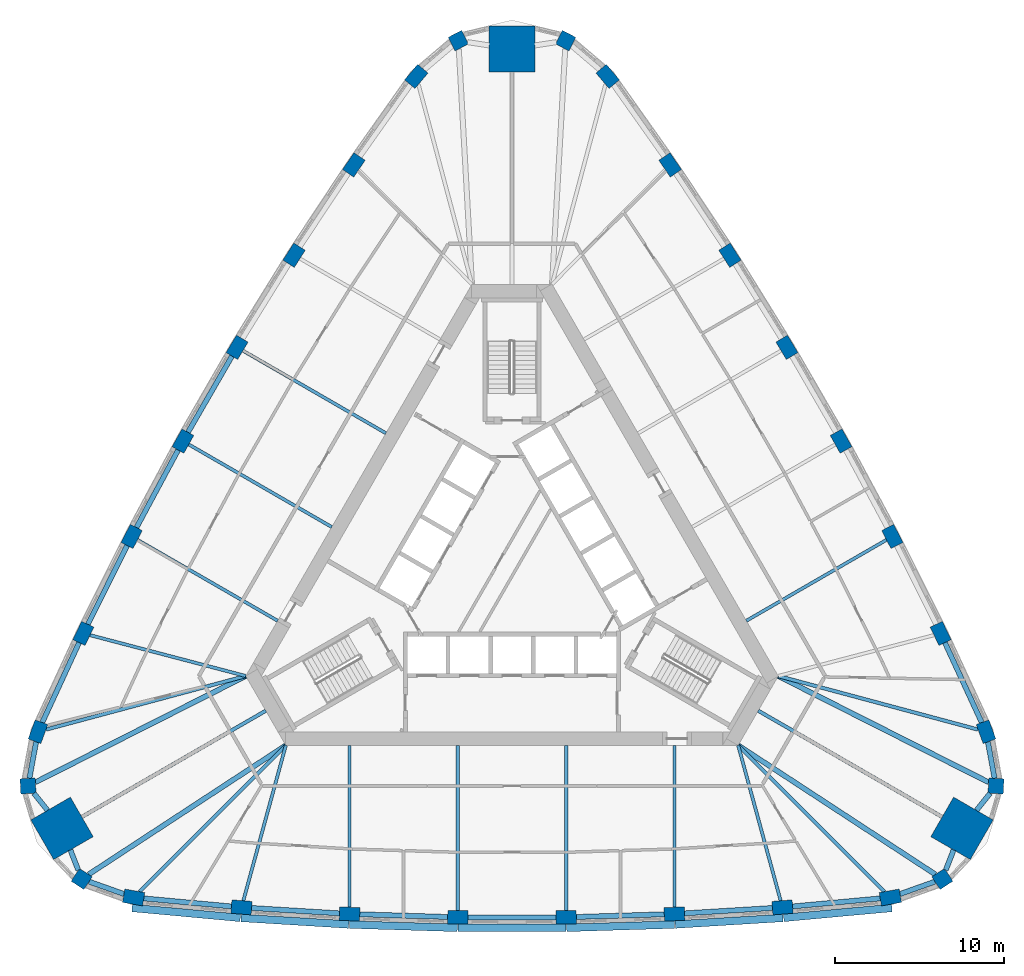
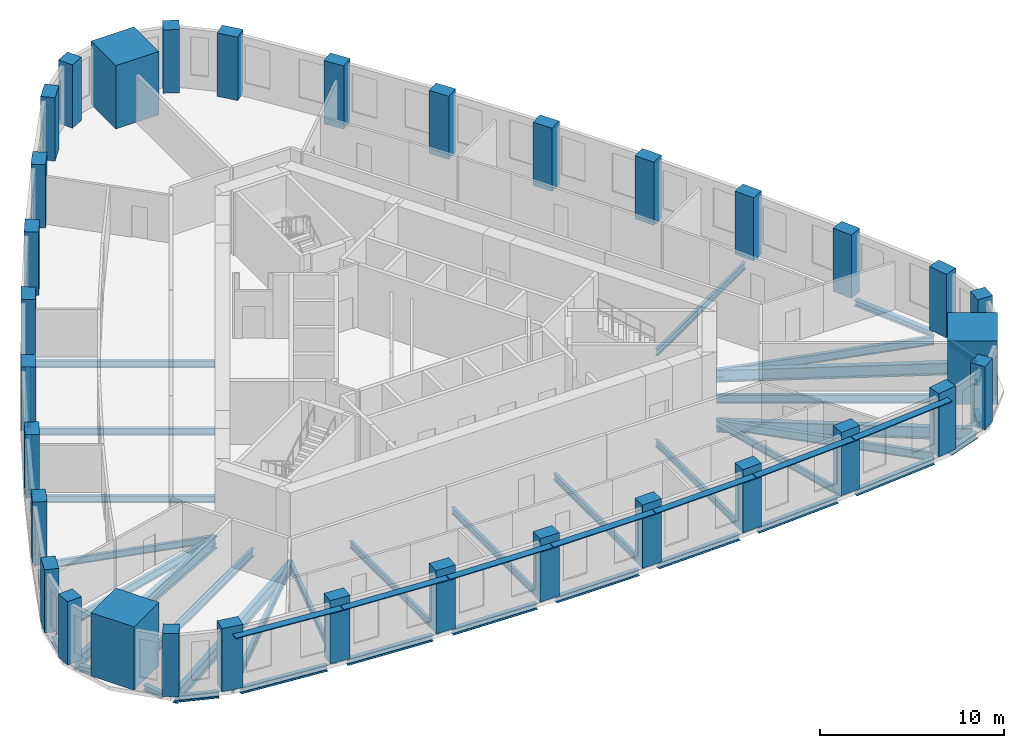
# One storey, part 1 of 10: 41 beams, 33 columns, 7 members.
"""IFC4 building model written with IfcOpenShell, lengths in metres."""

import ifcopenshell
import ifcopenshell.guid

model = None  # the IFC model being written
_history = None  # IfcOwnerHistory: only IFC2X3 demands one
_inside = {}  # id of a spatial element -> (the spatial element, [elements in it])
_under = {}  # id of a project, library or spatial element -> (it, [spatial elements below it])
_declared = {}  # id of a project -> (the project, [libraries it declares])
_typed = {}  # id of a type object -> (the type object, [elements of that type])
_made_of = {}  # id of a material, layer set ... -> (it, [elements and type objects made of it])


def new_model(schema):
    """Start an empty IFC model of exactly this schema.

    Asked for "IFC4X3", IfcOpenShell would pick the latest addendum, in which some entities
    have other attributes; the version numbers below select the first issue.
    IFC2X3 requires an IfcOwnerHistory on every rooted entity: one is made here for all.
    """
    global model, _history
    if schema == "IFC4X3":
        model = ifcopenshell.file(schema_version=(4, 3, 0, 0))
    else:
        model = ifcopenshell.file(schema=schema)
    _inside.clear()
    _under.clear()
    _declared.clear()
    _typed.clear()
    _made_of.clear()
    _history = None
    if model.schema == "IFC2X3":
        org = make("IfcOrganization", Name="unknown")
        user = make(
            "IfcPersonAndOrganization",
            ThePerson=make("IfcPerson", FamilyName="unknown"),
            TheOrganization=org,
        )
        app = make(
            "IfcApplication",
            ApplicationDeveloper=org,
            Version="unknown",
            ApplicationFullName="unknown",
            ApplicationIdentifier="unknown",
        )
        _history = make(
            "IfcOwnerHistory",
            OwningUser=user,
            OwningApplication=app,
            ChangeAction="ADDED",
            CreationDate=0,
        )
    return model


def make(cls, **values):
    """One entity of the class cls with the attributes given. An attribute that is None is left unset."""
    return model.create_entity(
        cls, **{name: value for name, value in values.items() if value is not None}
    )


def rooted(cls, **values):
    """An entity with a GlobalId (a new one), such as an element, a storey or a relation."""
    return make(cls, GlobalId=ifcopenshell.guid.new(), OwnerHistory=_history, **values)


def si_unit(unit_type, name, prefix=None):
    """IfcSIUnit, for example si_unit("LENGTHUNIT", "METRE", prefix="MILLI")."""
    return make("IfcSIUnit", UnitType=unit_type, Prefix=prefix, Name=name)


def assignment(units):
    """IfcUnitAssignment: the units of a project."""
    return None if units is None else make("IfcUnitAssignment", Units=units)


def point(xyz):
    """IfcCartesianPoint."""
    return None if xyz is None else make("IfcCartesianPoint", Coordinates=xyz)


def direction(xyz):
    """IfcDirection."""
    return None if xyz is None else make("IfcDirection", DirectionRatios=xyz)


def frame(location, z_axis=None, x_axis=None):
    """IfcAxis2Placement3D, a coordinate frame: its origin and axes. An axis left out is left unset."""
    return make(
        "IfcAxis2Placement3D",
        Location=point(location),
        Axis=direction(z_axis),
        RefDirection=direction(x_axis),
    )


def frame_2d(location, x_axis=None):
    """IfcAxis2Placement2D, a coordinate frame in the plane: its origin and x axis."""
    return make(
        "IfcAxis2Placement2D", Location=point(location), RefDirection=direction(x_axis)
    )


def origin():
    """The frame at (0, 0, 0) with its axes left unset."""
    return frame((0.0, 0.0, 0.0))


def origin_2d():
    """The frame at (0, 0) in the plane with its x axis left unset."""
    return frame_2d((0.0, 0.0))


def place(relative_to, where):
    """IfcLocalPlacement: puts the frame where relative to a parent placement (None: the world)."""
    return make(
        "IfcLocalPlacement", PlacementRelTo=relative_to, RelativePlacement=where
    )


def context(
    kind, dimensions, precision=None, world=None, true_north=None, identifier=None
):
    """IfcGeometricRepresentationContext, for example the 3D "Model" context."""
    return make(
        "IfcGeometricRepresentationContext",
        ContextIdentifier=identifier,
        ContextType=kind,
        CoordinateSpaceDimension=dimensions,
        Precision=precision,
        WorldCoordinateSystem=world,
        TrueNorth=true_north,
    )


def subcontext(parent, identifier, kind, view, scale=None):
    """IfcGeometricRepresentationSubContext, for example "Body" below "Model"."""
    return make(
        "IfcGeometricRepresentationSubContext",
        ContextIdentifier=identifier,
        ContextType=kind,
        ParentContext=parent,
        TargetScale=scale,
        TargetView=view,
    )


def project(units=None, contexts=None):
    """IfcProject with its units and contexts."""
    return rooted(
        "IfcProject",
        Name="project",
        RepresentationContexts=contexts,
        UnitsInContext=assignment(units),
    )


def spatial(cls, under=None, at=None, **own):
    """A site, building, storey or space (cls), placed at a placement, below another one or the project."""
    s = rooted(cls, ObjectPlacement=at, **own)
    if under is not None:
        _under.setdefault(under.id(), (under, []))[1].append(s)
    return s


def profile(cls, at=None, kind="AREA", **sizes):
    """A parametric profile (cls). Its sizes go by their IFC names, for example OverallWidth=200.0."""
    return make(cls, ProfileType=kind, Position=at, **sizes)


def rectangle(**sizes):
    """IfcRectangleProfileDef."""
    return profile("IfcRectangleProfileDef", **sizes)


def i_section(**sizes):
    """IfcIShapeProfileDef."""
    return profile("IfcIShapeProfileDef", **sizes)


def extrude(swept, where, along, depth):
    """IfcExtrudedAreaSolid: the profile swept, set in the frame where, extruded along a direction by depth."""
    return make(
        "IfcExtrudedAreaSolid",
        SweptArea=swept,
        Position=where,
        ExtrudedDirection=direction(along),
        Depth=depth,
    )


def shape(context_of_items, identifier, shape_type, items):
    """IfcShapeRepresentation: the items that make up one representation, for example the "Body"."""
    return make(
        "IfcShapeRepresentation",
        ContextOfItems=context_of_items,
        RepresentationIdentifier=identifier,
        RepresentationType=shape_type,
        Items=items,
    )


def material(Name=None, Category=None):
    """IfcMaterial."""
    return make("IfcMaterial", Name=Name, Category=Category)


def material_profile(
    of_material, cross_section, Name=None, Category=None, Priority=None
):
    """IfcMaterialProfile: a cross section and its material."""
    return make(
        "IfcMaterialProfile",
        Name=Name,
        Material=of_material,
        Profile=cross_section,
        Priority=Priority,
        Category=Category,
    )


def profile_set(profiles, Name=None, composite=None):
    """IfcMaterialProfileSet."""
    return make(
        "IfcMaterialProfileSet",
        Name=Name,
        MaterialProfiles=profiles,
        CompositeProfile=composite,
    )


def made_of(thing, what):
    """Note that an element or type object is made of a material, layer set ...; save() writes the relation."""
    if what is not None:
        _made_of.setdefault(what.id(), (what, []))[1].append(thing)
    return thing


def type_object(cls, material=None, **own):
    """A type object (cls), such as IfcWallType, which elements share."""
    return made_of(rooted(cls, **own), material)


def element(
    cls,
    number,
    at=None,
    inside=None,
    cuts=None,
    type_object=None,
    material=None,
    context=None,
    identifier="Body",
    shape_type=None,
    held_by="IfcProductDefinitionShape",
    body=None,
    shapes=None,
    **own,
):
    """One element of the class cls, such as IfcWall. Its Tag is "e" and its number.

    at: its placement. inside: the storey or other place that contains it. cuts: it is an
    opening in that element (IfcRelVoidsElement). A single representation is given by context,
    identifier, shape_type and body (its items); several are given by shapes. held_by: the class
    of the entity that holds the representations. save() writes the other relations.
    """
    e = rooted(cls, Tag="e%d" % number, ObjectPlacement=at, **own)
    if body is not None:
        shapes = [shape(context, identifier, shape_type, body)]
    if shapes is not None:
        e.Representation = make(held_by, Representations=shapes)
    if inside is not None:
        _inside.setdefault(inside.id(), (inside, []))[1].append(e)
    if cuts is not None:
        rooted(
            "IfcRelVoidsElement", RelatingBuildingElement=cuts, RelatedOpeningElement=e
        )
    if type_object is not None:
        _typed.setdefault(type_object.id(), (type_object, []))[1].append(e)
    return made_of(e, material)


def aggregate(whole, parts):
    """IfcRelAggregates: a whole, such as a stair, and the parts it consists of."""
    return rooted("IfcRelAggregates", RelatingObject=whole, RelatedObjects=parts)


def save(model, path):
    """Write the relations noted so far, then the file.

    IfcRelAggregates (storeys below a building ...), IfcRelContainedInSpatialStructure (elements
    in a storey), IfcRelDefinesByType, IfcRelAssociatesMaterial and IfcRelDeclares: one each for
    every whole, place, type object, material and project.
    """
    for whole, parts in _under.values():
        aggregate(whole, parts)
    for where, things in _inside.values():
        rooted(
            "IfcRelContainedInSpatialStructure",
            RelatedElements=things,
            RelatingStructure=where,
        )
    for kind, things in _typed.values():
        rooted("IfcRelDefinesByType", RelatedObjects=things, RelatingType=kind)
    for what, things in _made_of.values():
        rooted("IfcRelAssociatesMaterial", RelatedObjects=things, RelatingMaterial=what)
    for by, libraries in _declared.values():
        rooted("IfcRelDeclares", RelatingContext=by, RelatedDefinitions=libraries)
    model.write(path)


model = new_model("IFC4")

# Units and contexts
model_context = context("Model", 3, precision=1e-05, world=origin(), true_north=direction((0.0, 1.0)))
body_context = subcontext(model_context, "Body", "Model", "MODEL_VIEW")
ifc_project = project(units=[si_unit("LENGTHUNIT", "METRE"), si_unit("AREAUNIT", "SQUARE_METRE"), si_unit("VOLUMEUNIT", "CUBIC_METRE"), si_unit("PLANEANGLEUNIT", "RADIAN"), si_unit("MASSUNIT", "GRAM", prefix="KILO")], contexts=[model_context])

# Site, building, storey
site_placement = place(None, origin())
site = spatial("IfcSite", under=ifc_project, at=site_placement, CompositionType="ELEMENT")
building_placement = place(site_placement, origin())
building = spatial("IfcBuilding", under=site, at=building_placement, Name="Mestral Congress Tower", CompositionType="ELEMENT")
storey_placement = place(building_placement, frame((0.0, 0.0, 150.0)))
storey = spatial("IfcBuildingStorey", under=building, at=storey_placement, Name="L35", CompositionType="ELEMENT", Elevation=150.0)

# Columns
ifc_material_1 = material(Name="Concrete C60/75", Category="concrete")
ifc_material_profile_1 = material_profile(ifc_material_1, rectangle(XDim=1.199951171875, YDim=0.800048828125, at=origin_2d()), Name="RC 1200x800")
ifc_profile_set_1 = profile_set([ifc_material_profile_1], Name="Concrete C60/75")
column_type_1 = type_object("IfcColumnType", Name="Column RC 1200x800 C60/75", PredefinedType="COLUMN", material=ifc_profile_set_1)
for number, where, z_axis, x_axis, name in (
    (1, (-22.357421875, -19.437255859375, 0.0), (0.0, 0.0, 1.0), (0.984571054206, -0.17498525429, 0.0), "COL-L35-C3-S00"),
    (2, (-15.984619140625, -20.0224609375, 0.0), (0.0, 0.0, 1.0), (0.997089725995, -0.076236987842, 0.0), "COL-L35-C3-S01"),
    (3, (-9.5966796875, -20.412841796875, 0.0), (0.0, 0.0, 1.0), (0.998951959915, -0.045770970953, 0.0), "COL-L35-C3-S02"),
    (4, (-3.199951171875, -20.608154296875, 0.0), (0.0, 0.0, 1.0), (0.999883524137, -0.015262311717, 0.0), "COL-L35-C3-S03"),
    (5, (3.199951171875, -20.608154296875, 0.0), (0.0, 0.0, 1.0), (0.999883524137, 0.015262311717, 0.0), "COL-L35-C3-S04"),
    (6, (9.5966796875, -20.412841796875, 0.0), (0.0, 0.0, 1.0), (0.998951959915, 0.045770970953, 0.0), "COL-L35-C3-S05"),
    (7, (15.984619140625, -20.0224609375, 0.0), (0.0, 0.0, 1.0), (0.997089725995, 0.076236987842, 0.0), "COL-L35-C3-S06"),
    (8, (22.357421875, -19.437255859375, 0.0), (0.0, 0.0, 1.0), (0.984571054206, 0.17498525429, 0.0), "COL-L35-C3-S07"),
    (9, (28.01171875, -9.6435546875, 0.0), (0.0, 0.0, 1.0), (-0.340743851601, 0.940156171918, 0.0), "COL-L35-C3-E00"),
    (10, (25.332275390625, -3.831787109375, 0.0), (0.0, 0.0, 1.0), (-0.432521694818, 0.901623526485, 0.0), "COL-L35-C3-E01"),
    (11, (22.476318359375, 1.8955078125, 0.0), (0.0, 0.0, 1.0), (-0.459837156356, 0.888003259923, 0.0), "COL-L35-C3-E02"),
    (12, (19.447265625, 7.532958984375, 0.0), (0.0, 0.0, 1.0), (-0.486724212401, 0.873555688587, 0.0), "COL-L35-C3-E03"),
    (13, (16.247314453125, 13.0751953125, 0.0), (0.0, 0.0, 1.0), (-0.513159311736, 0.85829337687, 0.0), "COL-L35-C3-E04"),
    (14, (12.8798828125, 18.517333984375, 0.0), (0.0, 0.0, 1.0), (-0.539114803559, 0.84223228897, 0.0), "COL-L35-C3-E05"),
    (15, (9.34765625, 23.854248046875, 0.0), (0.0, 0.0, 1.0), (-0.564568031177, 0.825386538643, 0.0), "COL-L35-C3-E06"),
    (16, (5.654296875, 29.080810546875, 0.0), (0.0, 0.0, 1.0), (-0.643827202606, 0.765170917629, 0.0), "COL-L35-C3-E07"),
    (17, (-5.654296875, 29.080810546875, 0.0), (0.0, 0.0, 1.0), (-0.643827202606, -0.765170917629, 0.0), "COL-L35-C3-W00"),
    (18, (-9.34765625, 23.854248046875, 0.0), (0.0, 0.0, 1.0), (-0.564568031177, -0.825386538643, 0.0), "COL-L35-C3-W01"),
    (19, (-12.8798828125, 18.517333984375, 0.0), (0.0, 0.0, 1.0), (-0.539114803559, -0.84223228897, 0.0), "COL-L35-C3-W02"),
    (20, (-16.247314453125, 13.0751953125, 0.0), (0.0, 0.0, 1.0), (-0.513159311736, -0.85829337687, 0.0), "COL-L35-C3-W03"),
    (21, (-19.447265625, 7.532958984375, 0.0), (0.0, 0.0, 1.0), (-0.486724212401, -0.873555688587, 0.0), "COL-L35-C3-W04"),
    (22, (-22.476318359375, 1.8955078125, 0.0), (0.0, 0.0, 1.0), (-0.459837156356, -0.888003259923, 0.0), "COL-L35-C3-W05"),
    (23, (-25.332275390625, -3.831787109375, 0.0), (0.0, 0.0, 1.0), (-0.432521694818, -0.901623526485, 0.0), "COL-L35-C3-W06"),
    (24, (-28.01171875, -9.6435546875, 0.0), (0.0, 0.0, 1.0), (-0.340743851601, -0.940156171918, 0.0), "COL-L35-C3-W07"),
):
    element("IfcColumn", number, at=place(storey_placement, frame(where, z_axis=z_axis, x_axis=x_axis)), inside=storey, type_object=column_type_1, Name=name, PredefinedType="COLUMN", context=body_context, shape_type="SweptSolid", body=[
        extrude(rectangle(XDim=1.199951171875, YDim=0.800048828125, at=origin_2d()), origin(), (0.0, 0.0, 1.0), 4.199951171875),
    ])
ifc_material_profile_2 = material_profile(ifc_material_1, rectangle(XDim=0.89990234375, YDim=0.89990234375, at=origin_2d()), Name="RC 900x900")
ifc_profile_set_2 = profile_set([ifc_material_profile_2], Name="Concrete C60/75")
column_type_2 = type_object("IfcColumnType", Name="Column RC 900x900 C60/75", PredefinedType="COLUMN", material=ifc_profile_set_2)
for number, where, z_axis, x_axis, name in (
    (25, (25.4296875, -18.34375, 0.0), (0.0, 0.0, 1.0), (0.838094050847, 0.545525766518, 0.0), "COL-L35-C3-SE1"),
    (26, (28.60107421875, -12.850830078125, 0.0), (0.0, 0.0, 1.0), (0.0533921468, 0.998573622053, 0.0), "COL-L35-C3-SE3"),
    (27, (3.17138671875, 31.194580078125, 0.0), (0.0, 0.0, 1.0), (-0.891486197647, 0.453047855535, 0.0), "COL-L35-C3-N1"),
    (28, (-3.17138671875, 31.194580078125, 0.0), (0.0, 0.0, 1.0), (-0.891486197647, -0.453047855535, 0.0), "COL-L35-C3-N3"),
    (29, (-28.60107421875, -12.850830078125, 0.0), (0.0, 0.0, 1.0), (0.0533921468, -0.998573622053, 0.0), "COL-L35-C3-SW1"),
    (30, (-25.4296875, -18.34375, 0.0), (0.0, 0.0, 1.0), (0.838094050847, -0.545525766518, 0.0), "COL-L35-C3-SW3"),
):
    element("IfcColumn", number, at=place(storey_placement, frame(where, z_axis=z_axis, x_axis=x_axis)), inside=storey, type_object=column_type_2, Name=name, PredefinedType="COLUMN", context=body_context, shape_type="SweptSolid", body=[
        extrude(rectangle(XDim=0.89990234375, YDim=0.89990234375, at=origin_2d()), origin(), (0.0, 0.0, 1.0), 4.199951171875),
    ])
ifc_material_2 = material(Name="Concrete C70/85", Category="concrete")
ifc_material_profile_3 = material_profile(ifc_material_2, rectangle(XDim=2.699951171875, YDim=2.699951171875, at=origin_2d()), Name="RC 2700x2700")
ifc_profile_set_3 = profile_set([ifc_material_profile_3], Name="Concrete C70/85")
column_type_3 = type_object("IfcColumnType", Name="Mega column RC 2700x2700 C70/85", PredefinedType="COLUMN", material=ifc_profile_set_3)
for number, where, z_axis, x_axis, name in (
    (31, (26.590576171875, -15.35205078125, 0.0), (0.0, 0.0, 1.0), (0.866025403784, -0.5, 0.0), "COL-L35-PY3-SE"),
    (32, (0.0, 30.7041015625, 0.0), (0.0, 0.0, 1.0), (0.0, 1.0, 0.0), "COL-L35-PY3-N"),
    (33, (-26.590576171875, -15.35205078125, 0.0), (0.0, 0.0, 1.0), (-0.866025403784, -0.5, 0.0), "COL-L35-PY3-SW"),
):
    element("IfcColumn", number, at=place(storey_placement, frame(where, z_axis=z_axis, x_axis=x_axis)), inside=storey, type_object=column_type_3, Name=name, PredefinedType="COLUMN", context=body_context, shape_type="SweptSolid", body=[
        extrude(rectangle(XDim=2.699951171875, YDim=2.699951171875, at=origin_2d()), origin(), (0.0, 0.0, 1.0), 4.199951171875),
    ])

# Members
ifc_material_3 = material(Name="Glazed ceramic", Category="masonry")
ifc_material_profile_4 = material_profile(ifc_material_3, rectangle(XDim=0.449951171875, YDim=0.06005859375, at=origin_2d()), Name="Ceramic blade 450 x 60")
ifc_profile_set_4 = profile_set([ifc_material_profile_4], Name="Glazed ceramic")
member_type = type_object("IfcMemberType", Name="Facade sunshade blade 450 x 60", PredefinedType="USERDEFINED", material=ifc_profile_set_4)
member_1_placement = place(storey_placement, frame((-22.451171875, -20.05615234375, 3.679931640625), z_axis=(0.995809919347, -0.091447277326, 0.0), x_axis=(0.091447277326, 0.995809919347, 0.0)))
element("IfcMember", 34, at=member_1_placement, inside=storey, type_object=member_type, Name="Sunshade F0-00", ObjectType="SUNSHADE", PredefinedType="USERDEFINED", context=body_context, shape_type="SweptSolid", body=[
    extrude(rectangle(XDim=0.449951171875, YDim=0.06005859375, at=origin_2d()), origin(), (0.0, 0.0, 1.0), 6.42333984375),
])
member_2_placement = place(storey_placement, frame((-16.009521484375, -20.647216796875, 3.679931640625), z_axis=(0.998138940399, -0.06098078107, 0.0), x_axis=(0.06098078107, 0.998138940399, 0.0)))
element("IfcMember", 35, at=member_2_placement, inside=storey, type_object=member_type, Name="Sunshade F0-01", ObjectType="SUNSHADE", PredefinedType="USERDEFINED", context=body_context, shape_type="SweptSolid", body=[
    extrude(rectangle(XDim=0.449951171875, YDim=0.06005859375, at=origin_2d()), origin(), (0.0, 0.0, 1.0), 6.373779296875),
])
for number, where, z_axis, x_axis, name in (
    (36, (-9.6025390625, -21.0380859375, 3.679931640625), (0.999535044007, -0.03049091343, 0.0), (0.03049091343, 0.999535044007, 0.0), "Sunshade F0-02"),
    (37, (-3.186767578125, -21.233154296875, 3.679931640625), (1.0, 0.0, 0.0), (0.0, 1.0, 0.0), "Sunshade F0-03"),
    (38, (3.23193359375, -21.232421875, 3.679931640625), (0.999535044007, 0.03049091343, 0.0), (-0.03049091343, 0.999535044007, 0.0), "Sunshade F0-04"),
):
    element("IfcMember", number, at=place(storey_placement, frame(where, z_axis=z_axis, x_axis=x_axis)), inside=storey, type_object=member_type, Name=name, ObjectType="SUNSHADE", PredefinedType="USERDEFINED", context=body_context, shape_type="SweptSolid", body=[
        extrude(rectangle(XDim=0.449951171875, YDim=0.06005859375, at=origin_2d()), origin(), (0.0, 0.0, 1.0), 6.37353515625),
    ])
member_3_placement = place(storey_placement, frame((9.647705078125, -21.035888671875, 3.679931640625), z_axis=(0.998138940399, 0.06098078107, 0.0), x_axis=(-0.06098078107, 0.998138940399, 0.0)))
element("IfcMember", 39, at=member_3_placement, inside=storey, type_object=member_type, Name="Sunshade F0-05", ObjectType="SUNSHADE", PredefinedType="USERDEFINED", context=body_context, shape_type="SweptSolid", body=[
    extrude(rectangle(XDim=0.449951171875, YDim=0.06005859375, at=origin_2d()), origin(), (0.0, 0.0, 1.0), 6.373779296875),
])
member_4_placement = place(storey_placement, frame((16.0546875, -20.6435546875, 3.679931640625), z_axis=(0.995809919347, 0.091447277326, 0.0), x_axis=(-0.091447277326, 0.995809919347, 0.0)))
element("IfcMember", 40, at=member_4_placement, inside=storey, type_object=member_type, Name="Sunshade F0-06", ObjectType="SUNSHADE", PredefinedType="USERDEFINED", context=body_context, shape_type="SweptSolid", body=[
    extrude(rectangle(XDim=0.449951171875, YDim=0.06005859375, at=origin_2d()), origin(), (0.0, 0.0, 1.0), 6.42333984375),
])

# Beams
ifc_material_4 = material(Name="Steel S355", Category="steel")
ifc_material_profile_5 = material_profile(ifc_material_4, i_section(OverallWidth=0.300048828125, OverallDepth=0.800048828125, WebThickness=0.017578125, FlangeThickness=0.032958984375, FilletRadius=0.030029296875, at=origin_2d()), Name="HEB 800")
ifc_profile_set_5 = profile_set([ifc_material_profile_5], Name="Steel S355")
beam_type_1 = type_object("IfcBeamType", Name="Floor beam HEB 800 S355", PredefinedType="BEAM", material=ifc_profile_set_5)
beam_1_placement = place(storey_placement, frame((25.018310546875, -18.07470703125, -0.64990234375), z_axis=(-0.836780237492, 0.547538888247, 0.0), x_axis=(-0.547538888247, -0.836780237492, 0.0)))
element("IfcBeam", 41, at=beam_1_placement, inside=storey, type_object=beam_type_1, Name="BM-L35-RB3-SE1", PredefinedType="BEAM", context=body_context, shape_type="SweptSolid", body=[
    extrude(i_section(OverallWidth=0.300048828125, OverallDepth=0.800048828125, WebThickness=0.017578125, FlangeThickness=0.032958984375, FilletRadius=0.030029296875, at=origin_2d()), origin(), (0.0, 0.0, 1.0), 13.925537109375),
])
for number, where, z_axis, x_axis, name in (
    (42, (28.162109375, -12.629150390625, -0.64990234375), (-0.892568118133, 0.450912579656, 0.0), (-0.450912579656, -0.892568118133, 0.0), "BM-L35-RB3-SE3"),
    (43, (-28.162109375, -12.629150390625, -0.64990234375), (0.892568118133, 0.450912579656, 0.0), (-0.450912579656, 0.892568118133, 0.0), "BM-L35-RB3-SW1"),
):
    element("IfcBeam", number, at=place(storey_placement, frame(where, z_axis=z_axis, x_axis=x_axis)), inside=storey, type_object=beam_type_1, Name=name, PredefinedType="BEAM", context=body_context, shape_type="SweptSolid", body=[
        extrude(i_section(OverallWidth=0.300048828125, OverallDepth=0.800048828125, WebThickness=0.017578125, FlangeThickness=0.032958984375, FilletRadius=0.030029296875, at=origin_2d()), origin(), (0.0, 0.0, 1.0), 13.92529296875),
    ])
beam_2_placement = place(storey_placement, frame((-25.018310546875, -18.07470703125, -0.64990234375), z_axis=(0.836780237492, 0.547538888247, 0.0), x_axis=(-0.547538888247, 0.836780237492, 0.0)))
element("IfcBeam", 44, at=beam_2_placement, inside=storey, type_object=beam_type_1, Name="BM-L35-RB3-SW3", PredefinedType="BEAM", context=body_context, shape_type="SweptSolid", body=[
    extrude(i_section(OverallWidth=0.300048828125, OverallDepth=0.800048828125, WebThickness=0.017578125, FlangeThickness=0.032958984375, FilletRadius=0.030029296875, at=origin_2d()), origin(), (0.0, 0.0, 1.0), 13.925537109375),
])
ifc_material_profile_6 = material_profile(ifc_material_4, i_section(OverallWidth=0.18994140625, OverallDepth=0.449951171875, WebThickness=0.009521484375, FlangeThickness=0.0146484375, FilletRadius=0.02099609375, at=origin_2d()), Name="IPE 450")
ifc_profile_set_6 = profile_set([ifc_material_profile_6], Name="Steel S355")
beam_type_2 = type_object("IfcBeamType", Name="Floor beam IPE 450 S355", PredefinedType="BEAM", material=ifc_profile_set_6)
beam_3_placement = place(storey_placement, frame((-15.876953125, -19.62939453125, -0.47509765625), z_axis=(0.263874900873, 0.964556912105, 0.0), x_axis=(-0.964556912105, 0.263874900873, 0.0)))
element("IfcBeam", 45, at=beam_3_placement, inside=storey, type_object=beam_type_2, Name="BM-L35-RB3-S01", PredefinedType="BEAM", context=body_context, shape_type="SweptSolid", body=[
    extrude(i_section(OverallWidth=0.18994140625, OverallDepth=0.449951171875, WebThickness=0.009521484375, FlangeThickness=0.0146484375, FilletRadius=0.02099609375, at=origin_2d()), origin(), (0.0, 0.0, 1.0), 9.516845703125),
])
beam_4_placement = place(storey_placement, frame((-9.5966796875, -20.012451171875, -0.47509765625), z_axis=(0.0, 1.0, 0.0), x_axis=(-1.0, 0.0, 0.0)))
element("IfcBeam", 46, at=beam_4_placement, inside=storey, type_object=beam_type_2, Name="BM-L35-RB3-S02", PredefinedType="BEAM", context=body_context, shape_type="SweptSolid", body=[
    extrude(i_section(OverallWidth=0.18994140625, OverallDepth=0.449951171875, WebThickness=0.009521484375, FlangeThickness=0.0146484375, FilletRadius=0.02099609375, at=origin_2d()), origin(), (0.0, 0.0, 1.0), 9.5625),
])
for number, where, z_axis, x_axis, name in (
    (47, (-3.199951171875, -20.208251953125, -0.47509765625), (0.0, 1.0, 0.0), (-1.0, 0.0, 0.0), "BM-L35-RB3-S03"),
    (48, (3.199951171875, -20.208251953125, -0.47509765625), (0.0, 1.0, 0.0), (-1.0, 0.0, 0.0), "BM-L35-RB3-S04"),
):
    element("IfcBeam", number, at=place(storey_placement, frame(where, z_axis=z_axis, x_axis=x_axis)), inside=storey, type_object=beam_type_2, Name=name, PredefinedType="BEAM", context=body_context, shape_type="SweptSolid", body=[
        extrude(i_section(OverallWidth=0.18994140625, OverallDepth=0.449951171875, WebThickness=0.009521484375, FlangeThickness=0.0146484375, FilletRadius=0.02099609375, at=origin_2d()), origin(), (0.0, 0.0, 1.0), 9.75830078125),
    ])
beam_5_placement = place(storey_placement, frame((9.5966796875, -20.012451171875, -0.47509765625), z_axis=(0.0, 1.0, 0.0), x_axis=(-1.0, 0.0, 0.0)))
element("IfcBeam", 49, at=beam_5_placement, inside=storey, type_object=beam_type_2, Name="BM-L35-RB3-S05", PredefinedType="BEAM", context=body_context, shape_type="SweptSolid", body=[
    extrude(i_section(OverallWidth=0.18994140625, OverallDepth=0.449951171875, WebThickness=0.009521484375, FlangeThickness=0.0146484375, FilletRadius=0.02099609375, at=origin_2d()), origin(), (0.0, 0.0, 1.0), 9.5625),
])
beam_6_placement = place(storey_placement, frame((15.876953125, -19.62939453125, -0.47509765625), z_axis=(-0.263874900873, 0.964556912105, 0.0), x_axis=(-0.964556912105, -0.263874900873, 0.0)))
element("IfcBeam", 50, at=beam_6_placement, inside=storey, type_object=beam_type_2, Name="BM-L35-RB3-S06", PredefinedType="BEAM", context=body_context, shape_type="SweptSolid", body=[
    extrude(i_section(OverallWidth=0.18994140625, OverallDepth=0.449951171875, WebThickness=0.009521484375, FlangeThickness=0.0146484375, FilletRadius=0.02099609375, at=origin_2d()), origin(), (0.0, 0.0, 1.0), 9.516845703125),
])
beam_7_placement = place(storey_placement, frame((22.129638671875, 1.6953125, -0.47509765625), z_axis=(-0.866022320763, -0.500005339912, 0.0), x_axis=(0.500005339912, -0.866022320763, 0.0)))
element("IfcBeam", 51, at=beam_7_placement, inside=storey, type_object=beam_type_2, Name="BM-L35-RB3-E02", PredefinedType="BEAM", context=body_context, shape_type="SweptSolid", body=[
    extrude(i_section(OverallWidth=0.18994140625, OverallDepth=0.449951171875, WebThickness=0.009521484375, FlangeThickness=0.0146484375, FilletRadius=0.02099609375, at=origin_2d()), origin(), (0.0, 0.0, 1.0), 9.5625),
])
beam_8_placement = place(storey_placement, frame((-15.90087890625, 12.875244140625, -0.47509765625), z_axis=(0.866025182435, -0.500000383388, 0.0), x_axis=(0.500000383388, 0.866025182435, 0.0)))
element("IfcBeam", 52, at=beam_8_placement, inside=storey, type_object=beam_type_2, Name="BM-L35-RB3-W03", PredefinedType="BEAM", context=body_context, shape_type="SweptSolid", body=[
    extrude(i_section(OverallWidth=0.18994140625, OverallDepth=0.449951171875, WebThickness=0.009521484375, FlangeThickness=0.0146484375, FilletRadius=0.02099609375, at=origin_2d()), origin(), (0.0, 0.0, 1.0), 9.75830078125),
])
beam_9_placement = place(storey_placement, frame((-19.100830078125, 7.332763671875, -0.47509765625), z_axis=(0.866036015824, -0.499981618958, 0.0), x_axis=(0.499981618958, 0.866036015824, 0.0)))
element("IfcBeam", 53, at=beam_9_placement, inside=storey, type_object=beam_type_2, Name="BM-L35-RB3-W04", PredefinedType="BEAM", context=body_context, shape_type="SweptSolid", body=[
    extrude(i_section(OverallWidth=0.18994140625, OverallDepth=0.449951171875, WebThickness=0.009521484375, FlangeThickness=0.0146484375, FilletRadius=0.02099609375, at=origin_2d()), origin(), (0.0, 0.0, 1.0), 9.758056640625),
])
beam_10_placement = place(storey_placement, frame((-22.129638671875, 1.6953125, -0.47509765625), z_axis=(0.866022320763, -0.500005339912, 0.0), x_axis=(0.500005339912, 0.866022320763, 0.0)))
element("IfcBeam", 54, at=beam_10_placement, inside=storey, type_object=beam_type_2, Name="BM-L35-RB3-W05", PredefinedType="BEAM", context=body_context, shape_type="SweptSolid", body=[
    extrude(i_section(OverallWidth=0.18994140625, OverallDepth=0.449951171875, WebThickness=0.009521484375, FlangeThickness=0.0146484375, FilletRadius=0.02099609375, at=origin_2d()), origin(), (0.0, 0.0, 1.0), 9.5625),
])
beam_11_placement = place(storey_placement, frame((-24.938232421875, -3.93505859375, -0.47509765625), z_axis=(0.967265999603, -0.253764627187, 0.0), x_axis=(0.253764627187, 0.967265999603, 0.0)))
element("IfcBeam", 55, at=beam_11_placement, inside=storey, type_object=beam_type_2, Name="BM-L35-RB3-W06", PredefinedType="BEAM", context=body_context, shape_type="SweptSolid", body=[
    extrude(i_section(OverallWidth=0.18994140625, OverallDepth=0.449951171875, WebThickness=0.009521484375, FlangeThickness=0.0146484375, FilletRadius=0.02099609375, at=origin_2d()), origin(), (0.0, 0.0, 1.0), 9.516845703125),
])
ifc_material_profile_7 = material_profile(ifc_material_4, i_section(OverallWidth=0.2099609375, OverallDepth=0.550048828125, WebThickness=0.010986328125, FlangeThickness=0.01708984375, FilletRadius=0.02392578125, at=origin_2d()), Name="IPE 550")
ifc_profile_set_7 = profile_set([ifc_material_profile_7], Name="Steel S355")
beam_type_3 = type_object("IfcBeamType", Name="Floor beam IPE 550 S355", PredefinedType="BEAM", material=ifc_profile_set_7)
for number, where, z_axis, x_axis, name in (
    (56, (-22.01220703125, -19.09228515625, -0.52490234375), (0.707276510369, 0.706937011254, 0.0), (-0.706937011254, 0.707276510369, 0.0), "BM-L35-RB3-S00"),
    (57, (22.01220703125, -19.09228515625, -0.52490234375), (-0.707276510369, 0.706937011254, 0.0), (-0.706937011254, -0.707276510369, 0.0), "BM-L35-RB3-S07"),
):
    element("IfcBeam", number, at=place(storey_placement, frame(where, z_axis=z_axis, x_axis=x_axis)), inside=storey, type_object=beam_type_3, Name=name, PredefinedType="BEAM", context=body_context, shape_type="SweptSolid", body=[
        extrude(i_section(OverallWidth=0.2099609375, OverallDepth=0.550048828125, WebThickness=0.010986328125, FlangeThickness=0.01708984375, FilletRadius=0.02392578125, at=origin_2d()), origin(), (0.0, 0.0, 1.0), 12.22509765625),
    ])
beam_12_placement = place(storey_placement, frame((25.42138671875, -14.677001953125, -0.52490234375), z_axis=(-0.866034999462, 0.49998337943, 0.0), x_axis=(-0.49998337943, -0.866034999462, 0.0)))
element("IfcBeam", 58, at=beam_12_placement, inside=storey, type_object=beam_type_3, Name="BM-L35-RB3-SE", PredefinedType="BEAM", context=body_context, shape_type="SweptSolid", body=[
    extrude(i_section(OverallWidth=0.2099609375, OverallDepth=0.550048828125, WebThickness=0.010986328125, FlangeThickness=0.01708984375, FilletRadius=0.02392578125, at=origin_2d()), origin(), (0.0, 0.0, 1.0), 12.55419921875),
])
for number, where, z_axis, x_axis, name in (
    (59, (27.54052734375, -9.51708984375, -0.52490234375), (-0.965861364708, 0.259059499276, 0.0), (-0.259059499276, -0.965861364708, 0.0), "BM-L35-RB3-E00"),
    (60, (-27.54052734375, -9.51708984375, -0.52490234375), (0.965861364708, 0.259059499276, 0.0), (-0.259059499276, 0.965861364708, 0.0), "BM-L35-RB3-W07"),
):
    element("IfcBeam", number, at=place(storey_placement, frame(where, z_axis=z_axis, x_axis=x_axis)), inside=storey, type_object=beam_type_3, Name=name, PredefinedType="BEAM", context=body_context, shape_type="SweptSolid", body=[
        extrude(i_section(OverallWidth=0.2099609375, OverallDepth=0.550048828125, WebThickness=0.010986328125, FlangeThickness=0.01708984375, FilletRadius=0.02392578125, at=origin_2d()), origin(), (0.0, 0.0, 1.0), 12.224853515625),
    ])
beam_13_placement = place(storey_placement, frame((-25.42138671875, -14.677001953125, -0.52490234375), z_axis=(0.866034999462, 0.49998337943, 0.0), x_axis=(-0.49998337943, 0.866034999462, 0.0)))
element("IfcBeam", 61, at=beam_13_placement, inside=storey, type_object=beam_type_3, Name="BM-L35-RB3-SW", PredefinedType="BEAM", context=body_context, shape_type="SweptSolid", body=[
    extrude(i_section(OverallWidth=0.2099609375, OverallDepth=0.550048828125, WebThickness=0.010986328125, FlangeThickness=0.01708984375, FilletRadius=0.02392578125, at=origin_2d()), origin(), (0.0, 0.0, 1.0), 12.55419921875),
])
ifc_material_profile_8 = material_profile(ifc_material_4, i_section(OverallWidth=0.300048828125, OverallDepth=0.389892578125, WebThickness=0.010986328125, FlangeThickness=0.01904296875, FilletRadius=0.027099609375, at=origin_2d()), Name="HEA 400")
ifc_profile_set_8 = profile_set([ifc_material_profile_8], Name="Steel S355")
beam_type_4 = type_object("IfcBeamType", Name="Spandrel beam HEA 400 S355", PredefinedType="BEAM", material=ifc_profile_set_8)
beam_14_placement = place(storey_placement, frame((-21.7578125, -19.4921875, -0.445068359375), z_axis=(0.995809233617, -0.091454744238, 0.0), x_axis=(0.091454744238, 0.995809233617, 0.0)))
element("IfcBeam", 62, at=beam_14_placement, inside=storey, type_object=beam_type_4, Name="SP-L35-SB3-S00", PredefinedType="BEAM", context=body_context, shape_type="SweptSolid", body=[
    extrude(i_section(OverallWidth=0.300048828125, OverallDepth=0.389892578125, WebThickness=0.010986328125, FlangeThickness=0.01904296875, FilletRadius=0.027099609375, at=origin_2d()), origin(), (0.0, 0.0, 1.0), 5.197509765625),
])
beam_15_placement = place(storey_placement, frame((-15.385498046875, -20.05908203125, -0.445068359375), z_axis=(0.998138215809, -0.060992640057, 0.0), x_axis=(0.060992640057, 0.998138215809, 0.0)))
element("IfcBeam", 63, at=beam_15_placement, inside=storey, type_object=beam_type_4, Name="SP-L35-SB3-S01", PredefinedType="BEAM", context=body_context, shape_type="SweptSolid", body=[
    extrude(i_section(OverallWidth=0.300048828125, OverallDepth=0.389892578125, WebThickness=0.010986328125, FlangeThickness=0.01904296875, FilletRadius=0.027099609375, at=origin_2d()), origin(), (0.0, 0.0, 1.0), 5.19970703125),
])
beam_16_placement = place(storey_placement, frame((-8.996826171875, -20.43115234375, -0.445068359375), z_axis=(0.999534130554, -0.030520842996, 0.0), x_axis=(0.030520842996, 0.999534130554, 0.0)))
element("IfcBeam", 64, at=beam_16_placement, inside=storey, type_object=beam_type_4, Name="SP-L35-SB3-S02", PredefinedType="BEAM", context=body_context, shape_type="SweptSolid", body=[
    extrude(i_section(OverallWidth=0.300048828125, OverallDepth=0.389892578125, WebThickness=0.010986328125, FlangeThickness=0.01904296875, FilletRadius=0.027099609375, at=origin_2d()), origin(), (0.0, 0.0, 1.0), 5.199462890625),
])
beam_17_placement = place(storey_placement, frame((-2.599853515625, -20.608154296875, -0.445068359375), z_axis=(1.0, 0.0, 0.0), x_axis=(0.0, 1.0, 0.0)))
element("IfcBeam", 65, at=beam_17_placement, inside=storey, type_object=beam_type_4, Name="SP-L35-SB3-S03", PredefinedType="BEAM", context=body_context, shape_type="SweptSolid", body=[
    extrude(i_section(OverallWidth=0.300048828125, OverallDepth=0.389892578125, WebThickness=0.010986328125, FlangeThickness=0.01904296875, FilletRadius=0.027099609375, at=origin_2d()), origin(), (0.0, 0.0, 1.0), 5.19970703125),
])
beam_18_placement = place(storey_placement, frame((3.7998046875, -20.58984375, -0.445068359375), z_axis=(0.999534130554, 0.030520842996, 0.0), x_axis=(-0.030520842996, 0.999534130554, 0.0)))
element("IfcBeam", 66, at=beam_18_placement, inside=storey, type_object=beam_type_4, Name="SP-L35-SB3-S04", PredefinedType="BEAM", context=body_context, shape_type="SweptSolid", body=[
    extrude(i_section(OverallWidth=0.300048828125, OverallDepth=0.389892578125, WebThickness=0.010986328125, FlangeThickness=0.01904296875, FilletRadius=0.027099609375, at=origin_2d()), origin(), (0.0, 0.0, 1.0), 5.199462890625),
])
beam_19_placement = place(storey_placement, frame((10.195556640625, -20.376220703125, -0.445068359375), z_axis=(0.998138215809, 0.060992640057, 0.0), x_axis=(-0.060992640057, 0.998138215809, 0.0)))
element("IfcBeam", 67, at=beam_19_placement, inside=storey, type_object=beam_type_4, Name="SP-L35-SB3-S05", PredefinedType="BEAM", context=body_context, shape_type="SweptSolid", body=[
    extrude(i_section(OverallWidth=0.300048828125, OverallDepth=0.389892578125, WebThickness=0.010986328125, FlangeThickness=0.01904296875, FilletRadius=0.027099609375, at=origin_2d()), origin(), (0.0, 0.0, 1.0), 5.19970703125),
])
beam_20_placement = place(storey_placement, frame((16.58203125, -19.967529296875, -0.445068359375), z_axis=(0.995809233617, 0.091454744238, 0.0), x_axis=(-0.091454744238, 0.995809233617, 0.0)))
element("IfcBeam", 68, at=beam_20_placement, inside=storey, type_object=beam_type_4, Name="SP-L35-SB3-S06", PredefinedType="BEAM", context=body_context, shape_type="SweptSolid", body=[
    extrude(i_section(OverallWidth=0.300048828125, OverallDepth=0.389892578125, WebThickness=0.010986328125, FlangeThickness=0.01904296875, FilletRadius=0.027099609375, at=origin_2d()), origin(), (0.0, 0.0, 1.0), 5.197509765625),
])
beam_21_placement = place(storey_placement, frame((22.9306640625, -19.233154296875, -0.445068359375), z_axis=(0.942124718118, 0.33526260679, 0.0), x_axis=(-0.33526260679, 0.942124718118, 0.0)))
element("IfcBeam", 69, at=beam_21_placement, inside=storey, type_object=beam_type_4, Name="SP-L35-SB3-S07", PredefinedType="BEAM", context=body_context, shape_type="SweptSolid", body=[
    extrude(i_section(OverallWidth=0.300048828125, OverallDepth=0.389892578125, WebThickness=0.010986328125, FlangeThickness=0.01904296875, FilletRadius=0.027099609375, at=origin_2d()), origin(), (0.0, 0.0, 1.0), 2.189697265625),
])
for number, where, z_axis, x_axis, name in (
    (70, (25.630126953125, -17.826904296875, -0.445068359375), (0.361897583915, 0.932217860136, 0.0), (-0.932217860136, 0.361897583915, 0.0), "SP-L35-SB3-SE1"),
    (71, (27.446533203125, -14.287353515625, -0.445068359375), (0.626403443736, 0.779499022242, 0.0), (-0.779499022242, 0.626403443736, 0.0), "SP-L35-SB3-SE"),
):
    element("IfcBeam", number, at=place(storey_placement, frame(where, z_axis=z_axis, x_axis=x_axis)), inside=storey, type_object=beam_type_4, Name=name, PredefinedType="BEAM", context=body_context, shape_type="SweptSolid", body=[
        extrude(i_section(OverallWidth=0.300048828125, OverallDepth=0.389892578125, WebThickness=0.010986328125, FlangeThickness=0.01904296875, FilletRadius=0.027099609375, at=origin_2d()), origin(), (0.0, 0.0, 1.0), 1.28857421875),
    ])
beam_22_placement = place(storey_placement, frame((28.517333984375, -12.395751953125, -0.445068359375), z_axis=(-0.18061190167, 0.983554442304, 0.0), x_axis=(-0.983554442304, -0.18061190167, 0.0)))
element("IfcBeam", 72, at=beam_22_placement, inside=storey, type_object=beam_type_4, Name="SP-L35-SB3-SE3", PredefinedType="BEAM", context=body_context, shape_type="SweptSolid", body=[
    extrude(i_section(OverallWidth=0.300048828125, OverallDepth=0.389892578125, WebThickness=0.010986328125, FlangeThickness=0.01904296875, FilletRadius=0.027099609375, at=origin_2d()), origin(), (0.0, 0.0, 1.0), 2.18994140625),
])
beam_23_placement = place(storey_placement, frame((27.759765625, -9.0966796875, -0.445068359375), z_axis=(-0.418712613032, 0.908118796022, 0.0), x_axis=(-0.908118796022, -0.418712613032, 0.0)))
element("IfcBeam", 73, at=beam_23_placement, inside=storey, type_object=beam_type_4, Name="SP-L35-SB3-E00", PredefinedType="BEAM", context=body_context, shape_type="SweptSolid", body=[
    extrude(i_section(OverallWidth=0.300048828125, OverallDepth=0.389892578125, WebThickness=0.010986328125, FlangeThickness=0.01904296875, FilletRadius=0.027099609375, at=origin_2d()), origin(), (0.0, 0.0, 1.0), 5.197509765625),
])
for number, where, z_axis, x_axis, name in (
    (74, (-16.54736328125, 12.5556640625, -0.445068359375), (-0.499992051641, -0.866029992723, 0.0), (0.866029992723, -0.499992051641, 0.0), "SP-L35-SB3-W03"),
    (75, (-19.731201171875, 7.00439453125, -0.445068359375), (-0.473332458078, -0.880883865291, 0.0), (0.880883865291, -0.473332458078, 0.0), "SP-L35-SB3-W04"),
):
    element("IfcBeam", number, at=place(storey_placement, frame(where, z_axis=z_axis, x_axis=x_axis)), inside=storey, type_object=beam_type_4, Name=name, PredefinedType="BEAM", context=body_context, shape_type="SweptSolid", body=[
        extrude(i_section(OverallWidth=0.300048828125, OverallDepth=0.389892578125, WebThickness=0.010986328125, FlangeThickness=0.01904296875, FilletRadius=0.027099609375, at=origin_2d()), origin(), (0.0, 0.0, 1.0), 5.19970703125),
    ])
beam_24_placement = place(storey_placement, frame((-22.744140625, 1.3583984375, -0.445068359375), z_axis=(-0.446255467462, -0.894905613884, 0.0), x_axis=(0.894905613884, -0.446255467462, 0.0)))
element("IfcBeam", 76, at=beam_24_placement, inside=storey, type_object=beam_type_4, Name="SP-L35-SB3-W05", PredefinedType="BEAM", context=body_context, shape_type="SweptSolid", body=[
    extrude(i_section(OverallWidth=0.300048828125, OverallDepth=0.389892578125, WebThickness=0.010986328125, FlangeThickness=0.01904296875, FilletRadius=0.027099609375, at=origin_2d()), origin(), (0.0, 0.0, 1.0), 5.199462890625),
])
beam_25_placement = place(storey_placement, frame((-25.58349609375, -4.376708984375, -0.445068359375), z_axis=(-0.418712613032, -0.908118796022, 0.0), x_axis=(0.908118796022, -0.418712613032, 0.0)))
element("IfcBeam", 77, at=beam_25_placement, inside=storey, type_object=beam_type_4, Name="SP-L35-SB3-W06", PredefinedType="BEAM", context=body_context, shape_type="SweptSolid", body=[
    extrude(i_section(OverallWidth=0.300048828125, OverallDepth=0.389892578125, WebThickness=0.010986328125, FlangeThickness=0.01904296875, FilletRadius=0.027099609375, at=origin_2d()), origin(), (0.0, 0.0, 1.0), 5.197509765625),
])
beam_26_placement = place(storey_placement, frame((-28.121826171875, -10.241943359375, -0.445068359375), z_axis=(-0.18061190167, -0.983554442304, 0.0), x_axis=(0.983554442304, -0.18061190167, 0.0)))
element("IfcBeam", 78, at=beam_26_placement, inside=storey, type_object=beam_type_4, Name="SP-L35-SB3-W07", PredefinedType="BEAM", context=body_context, shape_type="SweptSolid", body=[
    extrude(i_section(OverallWidth=0.300048828125, OverallDepth=0.389892578125, WebThickness=0.010986328125, FlangeThickness=0.01904296875, FilletRadius=0.027099609375, at=origin_2d()), origin(), (0.0, 0.0, 1.0), 2.18994140625),
])
for number, where, z_axis, x_axis, name in (
    (79, (-28.253662109375, -13.282958984375, -0.445068359375), (0.626403443736, -0.779499022242, 0.0), (0.779499022242, 0.626403443736, 0.0), "SP-L35-SB3-SW1"),
    (80, (-26.096435546875, -16.625732421875, -0.445068359375), (0.361897583915, -0.932217860136, 0.0), (0.932217860136, 0.361897583915, 0.0), "SP-L35-SB3-SW"),
):
    element("IfcBeam", number, at=place(storey_placement, frame(where, z_axis=z_axis, x_axis=x_axis)), inside=storey, type_object=beam_type_4, Name=name, PredefinedType="BEAM", context=body_context, shape_type="SweptSolid", body=[
        extrude(i_section(OverallWidth=0.300048828125, OverallDepth=0.389892578125, WebThickness=0.010986328125, FlangeThickness=0.01904296875, FilletRadius=0.027099609375, at=origin_2d()), origin(), (0.0, 0.0, 1.0), 1.28857421875),
    ])
beam_27_placement = place(storey_placement, frame((-24.99365234375, -18.4990234375, -0.445068359375), z_axis=(0.942124718118, -0.33526260679, 0.0), x_axis=(0.33526260679, 0.942124718118, 0.0)))
element("IfcBeam", 81, at=beam_27_placement, inside=storey, type_object=beam_type_4, Name="SP-L35-SB3-SW3", PredefinedType="BEAM", context=body_context, shape_type="SweptSolid", body=[
    extrude(i_section(OverallWidth=0.300048828125, OverallDepth=0.389892578125, WebThickness=0.010986328125, FlangeThickness=0.01904296875, FilletRadius=0.027099609375, at=origin_2d()), origin(), (0.0, 0.0, 1.0), 2.189697265625),
])

save(model, "model.ifc")
